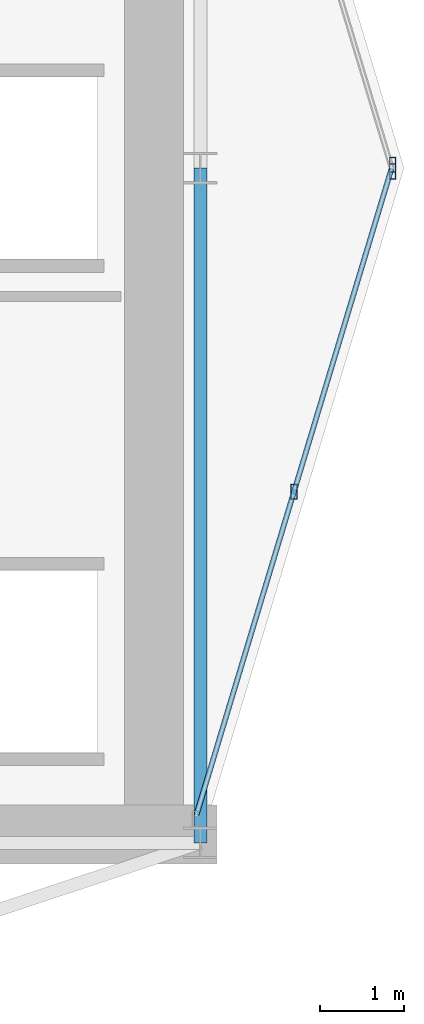
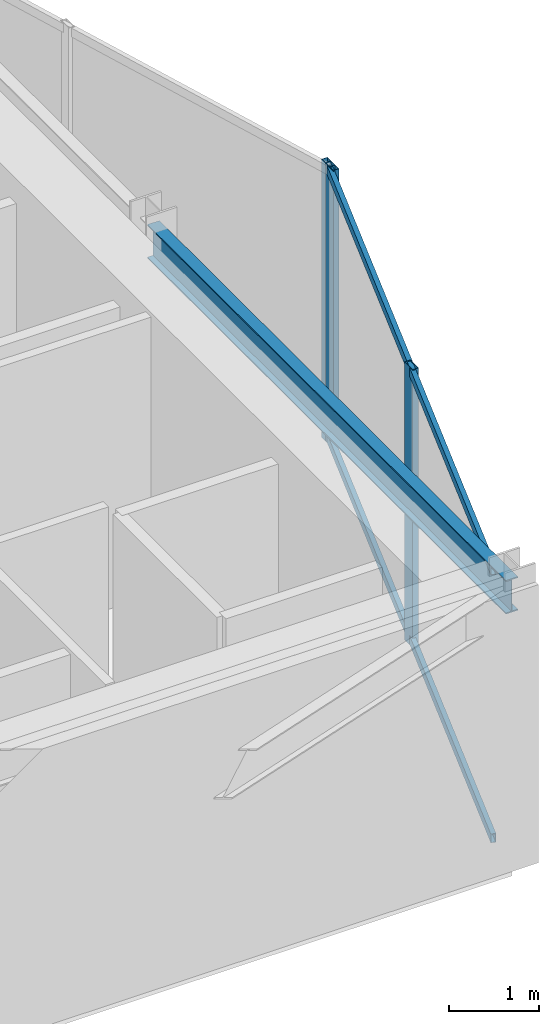
# One storey, part 15 of 23: 5 members, 1 beam, 2 elements without a shape of their own.
"""IFC4 building model written with IfcOpenShell, lengths in metres."""

from ifc_helpers import new_model, si_unit, direction, frame, origin, origin_2d, place, context, subcontext, project, spatial, hollow_rectangle, i_section, extrude, material, layer, layer_set, material_profile, profile_set, type_object, element, aggregate, save


model = new_model("IFC4")

# Units and contexts
model_context = context("Model", 3, precision=1e-05, world=origin(), true_north=direction((0.0, 1.0)))
body_context = subcontext(model_context, "Body", "Model", "MODEL_VIEW")
ifc_project = project(units=[si_unit("LENGTHUNIT", "METRE"), si_unit("AREAUNIT", "SQUARE_METRE"), si_unit("VOLUMEUNIT", "CUBIC_METRE"), si_unit("PLANEANGLEUNIT", "RADIAN"), si_unit("MASSUNIT", "GRAM", prefix="KILO")], contexts=[model_context])

# Site, building, storey
site_placement = place(None, origin())
site = spatial("IfcSite", under=ifc_project, at=site_placement, CompositionType="ELEMENT")
building_placement = place(site_placement, origin())
building = spatial("IfcBuilding", under=site, at=building_placement, Name="Veymaron Broadcast Tower", CompositionType="ELEMENT")
storey_placement = place(building_placement, frame((0.0, 0.0, 224.25)))
storey = spatial("IfcBuildingStorey", under=building, at=storey_placement, Name="L52", CompositionType="ELEMENT", Elevation=224.25)

# Beam
ifc_material_1 = material(Name="Structural steel ASTM A992 Gr 50", Category="steel")
ifc_material_profile_1 = material_profile(ifc_material_1, i_section(OverallWidth=0.154052734375, OverallDepth=0.458984375, WebThickness=0.009033203125, FlangeThickness=0.015380859375, at=origin_2d()), Name="W460X68")
ifc_profile_set_1 = profile_set([ifc_material_profile_1], Name="Structural steel ASTM A992 Gr 50")
beam_type = type_object("IfcBeamType", Name="BM-SP2", PredefinedType="SPANDREL", material=ifc_profile_set_1)
beam_placement = place(storey_placement, frame((54.60009765625, 16.0, 3.560546875), z_axis=(0.0, 1.0, 0.0), x_axis=(-1.0, 0.0, 0.0)))
element("IfcBeam", 1, at=beam_placement, inside=storey, type_object=beam_type, Name="L52 primary structural floor girder", PredefinedType="SPANDREL", context=body_context, shape_type="SweptSolid", body=[
    extrude(i_section(OverallWidth=0.154052734375, OverallDepth=0.458984375, WebThickness=0.009033203125, FlangeThickness=0.015380859375, at=origin_2d()), origin(), (0.0, 0.0, 1.0), 8.0),
])

# Curtain wall, members
ifc_material_2 = material(Name="Anodised aluminium AA 6063-T6 and laminated low-E dark glass", Category="aluminium")
ifc_layer = layer(ifc_material_2, 0.179931640625)
ifc_layer_set = layer_set([ifc_layer], Name="Anodised aluminium AA 6063-T6 and laminated low-E dark glass")
curtain_wall_type = type_object("IfcCurtainWallType", Name="CW-SYS-05", PredefinedType="NOTDEFINED", material=ifc_layer_set)
curtain_wall_1_placement = place(storey_placement, origin())
curtain_wall_1 = element("IfcCurtainWall", 2, at=curtain_wall_1_placement, inside=storey, type_object=curtain_wall_type, Name="L52 dark-glass curtain wall CW-L52-E2-1", PredefinedType="NOTDEFINED")
ifc_material_3 = material(Name="Anodised aluminium AA 6063-T6", Category="aluminium")
ifc_material_profile_2 = material_profile(ifc_material_3, hollow_rectangle(XDim=0.074951171875, YDim=0.179931640625, WallThickness=0.0048828125, at=origin_2d()), Name="AL180X75X5")
ifc_profile_set_2 = profile_set([ifc_material_profile_2], Name="Anodised aluminium AA 6063-T6")
member_type_1 = type_object("IfcMemberType", Name="CW-MUL-02", PredefinedType="MULLION", material=ifc_profile_set_2)
member_1_placement = place(storey_placement, frame((55.710205078125, 20.162353515625, 0.0), z_axis=(0.0, 0.0, 1.0), x_axis=(1.0, 0.0, 0.0)))
member_1 = element("IfcMember", 3, at=member_1_placement, type_object=member_type_1, Name="CW-L52-E2-1 mullion 1", PredefinedType="MULLION", context=body_context, shape_type="SweptSolid", body=[
    extrude(hollow_rectangle(XDim=0.074951171875, YDim=0.179931640625, WallThickness=0.0048828125, at=origin_2d()), origin(), (0.0, 0.0, 1.0), 3.7900390625),
])
member_2_placement = place(storey_placement, frame((56.881103515625, 24.04052734375, 0.0), z_axis=(0.0, 0.0, 1.0), x_axis=(1.0, 0.0, 0.0)))
member_2 = element("IfcMember", 4, at=member_2_placement, type_object=member_type_1, Name="CW-L52-E2-1 mullion 2", PredefinedType="MULLION", context=body_context, shape_type="SweptSolid", body=[
    extrude(hollow_rectangle(XDim=0.074951171875, YDim=0.179931640625, WallThickness=0.0048828125, at=origin_2d()), origin(), (0.0, 0.0, 1.0), 3.7900390625),
])

# Curtain wall, member
curtain_wall_2_placement = place(storey_placement, origin())
curtain_wall_2 = element("IfcCurtainWall", 5, at=curtain_wall_2_placement, inside=storey, type_object=curtain_wall_type, Name="L52 dark-glass curtain wall CW-L52-E3-1", PredefinedType="NOTDEFINED")
member_3_placement = place(storey_placement, frame((56.881103515625, 23.95947265625, 0.0), z_axis=(0.0, 0.0, 1.0), x_axis=(1.0, 0.0, 0.0)))
member_3 = element("IfcMember", 6, at=member_3_placement, type_object=member_type_1, Name="CW-L52-E3-1 mullion 0", PredefinedType="MULLION", context=body_context, shape_type="SweptSolid", body=[
    extrude(hollow_rectangle(XDim=0.074951171875, YDim=0.179931640625, WallThickness=0.0048828125, at=origin_2d()), origin(), (0.0, 0.0, 1.0), 3.7900390625),
])
aggregate(curtain_wall_2, [member_3])

# Member
ifc_material_profile_3 = material_profile(ifc_material_3, hollow_rectangle(XDim=0.06005859375, YDim=0.1201171875, WallThickness=0.00390625, at=origin_2d()), Name="AL120X60X4")
ifc_profile_set_3 = profile_set([ifc_material_profile_3], Name="Anodised aluminium AA 6063-T6")
member_type_2 = type_object("IfcMemberType", Name="CW-TRN-02", PredefinedType="USERDEFINED", material=ifc_profile_set_3)
member_4_placement = place(storey_placement, frame((54.553955078125, 16.331787109375, 0.070068359375), z_axis=(0.289007229702, 0.957326914476, 0.0), x_axis=(-0.957326914476, 0.289007229702, 0.0)))
member_4 = element("IfcMember", 7, at=member_4_placement, type_object=member_type_2, Name="CW-L52-E2-1 transom B", ObjectType="TRANSOM", PredefinedType="USERDEFINED", context=body_context, shape_type="SweptSolid", body=[
    extrude(hollow_rectangle(XDim=0.06005859375, YDim=0.1201171875, WallThickness=0.00390625, at=origin_2d()), origin(), (0.0, 0.0, 1.0), 8.00244140625),
])

member_5_placement = place(storey_placement, frame((54.553955078125, 16.331787109375, 3.719970703125), z_axis=(0.289007229702, 0.957326914476, 0.0), x_axis=(-0.957326914476, 0.289007229702, 0.0)))
member_5 = element("IfcMember", 8, at=member_5_placement, type_object=member_type_2, Name="CW-L52-E2-1 transom T", ObjectType="TRANSOM", PredefinedType="USERDEFINED", context=body_context, shape_type="SweptSolid", body=[
    extrude(hollow_rectangle(XDim=0.06005859375, YDim=0.1201171875, WallThickness=0.00390625, at=origin_2d()), origin(), (0.0, 0.0, 1.0), 8.00244140625),
])

aggregate(curtain_wall_1, [member_1, member_2, member_4, member_5])

save(model, "model.ifc")
